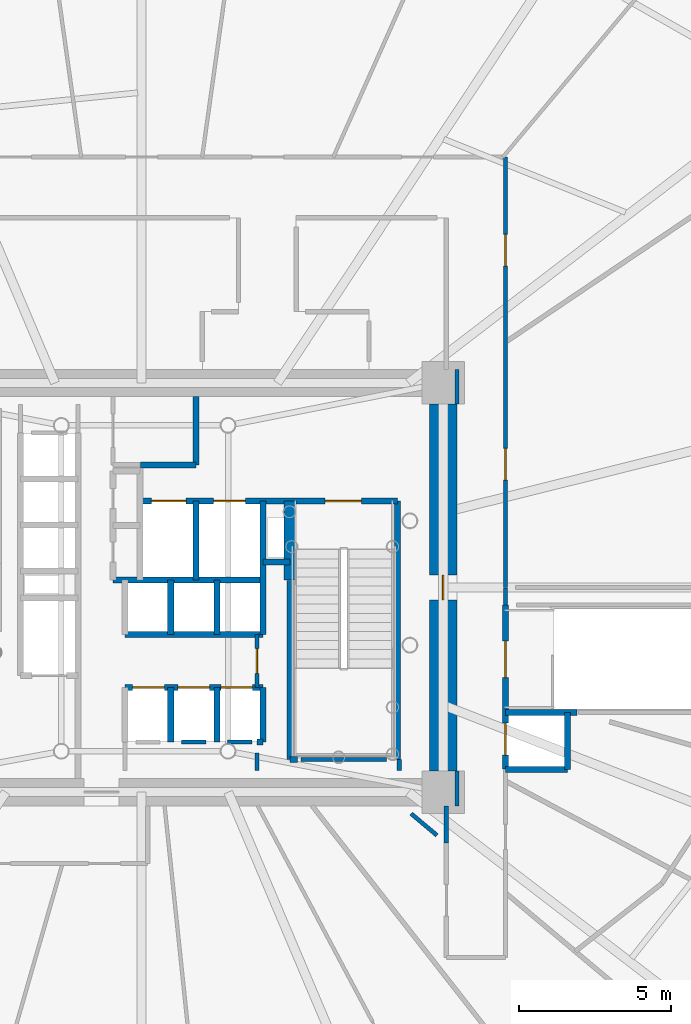
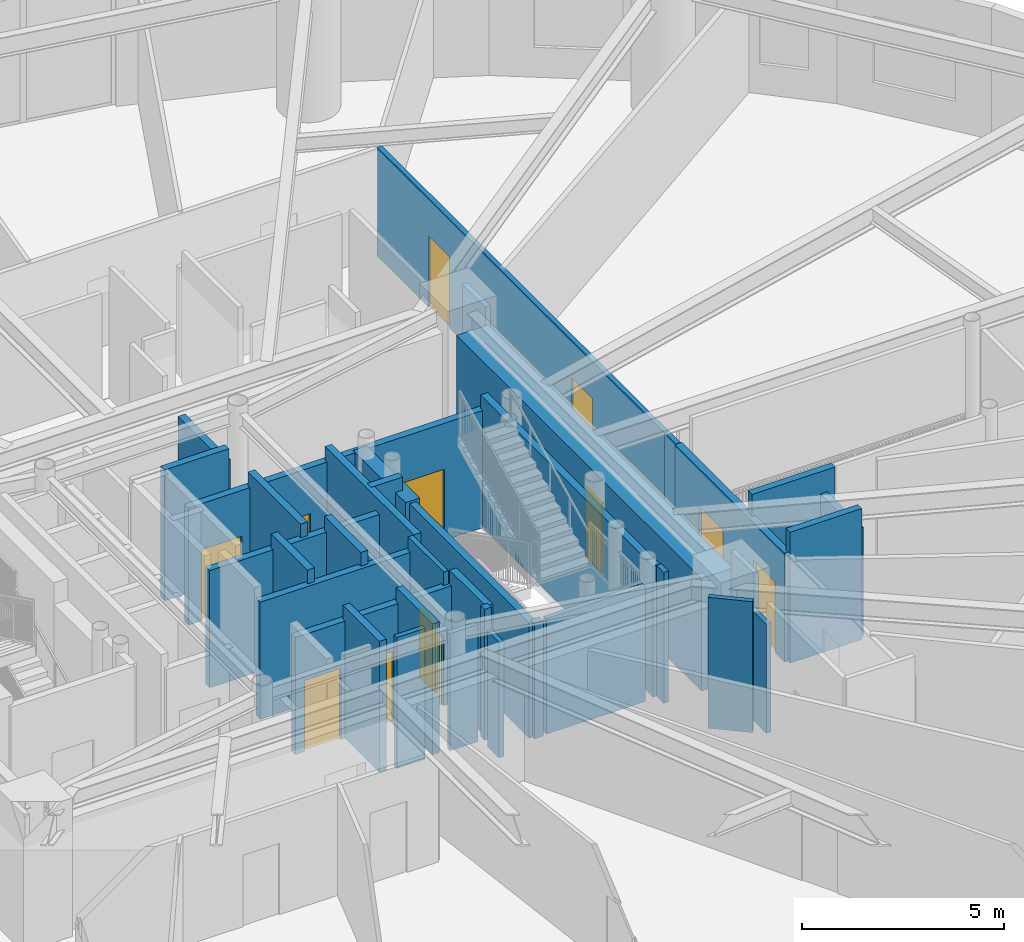
# One storey, part 18 of 28: 36 walls, 12 doors, 12 openings.
"""IFC4 building model written with IfcOpenShell, lengths in metres."""

import ifcopenshell
import ifcopenshell.guid

model = None  # the IFC model being written
_history = None  # IfcOwnerHistory: only IFC2X3 demands one
_inside = {}  # id of a spatial element -> (the spatial element, [elements in it])
_under = {}  # id of a project, library or spatial element -> (it, [spatial elements below it])
_declared = {}  # id of a project -> (the project, [libraries it declares])
_typed = {}  # id of a type object -> (the type object, [elements of that type])
_made_of = {}  # id of a material, layer set ... -> (it, [elements and type objects made of it])


def new_model(schema):
    """Start an empty IFC model of exactly this schema.

    Asked for "IFC4X3", IfcOpenShell would pick the latest addendum, in which some entities
    have other attributes; the version numbers below select the first issue.
    IFC2X3 requires an IfcOwnerHistory on every rooted entity: one is made here for all.
    """
    global model, _history
    if schema == "IFC4X3":
        model = ifcopenshell.file(schema_version=(4, 3, 0, 0))
    else:
        model = ifcopenshell.file(schema=schema)
    _inside.clear()
    _under.clear()
    _declared.clear()
    _typed.clear()
    _made_of.clear()
    _history = None
    if model.schema == "IFC2X3":
        org = make("IfcOrganization", Name="unknown")
        user = make(
            "IfcPersonAndOrganization",
            ThePerson=make("IfcPerson", FamilyName="unknown"),
            TheOrganization=org,
        )
        app = make(
            "IfcApplication",
            ApplicationDeveloper=org,
            Version="unknown",
            ApplicationFullName="unknown",
            ApplicationIdentifier="unknown",
        )
        _history = make(
            "IfcOwnerHistory",
            OwningUser=user,
            OwningApplication=app,
            ChangeAction="ADDED",
            CreationDate=0,
        )
    return model


def make(cls, **values):
    """One entity of the class cls with the attributes given. An attribute that is None is left unset."""
    return model.create_entity(
        cls, **{name: value for name, value in values.items() if value is not None}
    )


def rooted(cls, **values):
    """An entity with a GlobalId (a new one), such as an element, a storey or a relation."""
    return make(cls, GlobalId=ifcopenshell.guid.new(), OwnerHistory=_history, **values)


def si_unit(unit_type, name, prefix=None):
    """IfcSIUnit, for example si_unit("LENGTHUNIT", "METRE", prefix="MILLI")."""
    return make("IfcSIUnit", UnitType=unit_type, Prefix=prefix, Name=name)


def assignment(units):
    """IfcUnitAssignment: the units of a project."""
    return None if units is None else make("IfcUnitAssignment", Units=units)


def point(xyz):
    """IfcCartesianPoint."""
    return None if xyz is None else make("IfcCartesianPoint", Coordinates=xyz)


def direction(xyz):
    """IfcDirection."""
    return None if xyz is None else make("IfcDirection", DirectionRatios=xyz)


def frame(location, z_axis=None, x_axis=None):
    """IfcAxis2Placement3D, a coordinate frame: its origin and axes. An axis left out is left unset."""
    return make(
        "IfcAxis2Placement3D",
        Location=point(location),
        Axis=direction(z_axis),
        RefDirection=direction(x_axis),
    )


def frame_2d(location, x_axis=None):
    """IfcAxis2Placement2D, a coordinate frame in the plane: its origin and x axis."""
    return make(
        "IfcAxis2Placement2D", Location=point(location), RefDirection=direction(x_axis)
    )


def origin():
    """The frame at (0, 0, 0) with its axes left unset."""
    return frame((0.0, 0.0, 0.0))


def origin_2d():
    """The frame at (0, 0) in the plane with its x axis left unset."""
    return frame_2d((0.0, 0.0))


def place(relative_to, where):
    """IfcLocalPlacement: puts the frame where relative to a parent placement (None: the world)."""
    return make(
        "IfcLocalPlacement", PlacementRelTo=relative_to, RelativePlacement=where
    )


def context(
    kind, dimensions, precision=None, world=None, true_north=None, identifier=None
):
    """IfcGeometricRepresentationContext, for example the 3D "Model" context."""
    return make(
        "IfcGeometricRepresentationContext",
        ContextIdentifier=identifier,
        ContextType=kind,
        CoordinateSpaceDimension=dimensions,
        Precision=precision,
        WorldCoordinateSystem=world,
        TrueNorth=true_north,
    )


def subcontext(parent, identifier, kind, view, scale=None):
    """IfcGeometricRepresentationSubContext, for example "Body" below "Model"."""
    return make(
        "IfcGeometricRepresentationSubContext",
        ContextIdentifier=identifier,
        ContextType=kind,
        ParentContext=parent,
        TargetScale=scale,
        TargetView=view,
    )


def project(units=None, contexts=None):
    """IfcProject with its units and contexts."""
    return rooted(
        "IfcProject",
        Name="project",
        RepresentationContexts=contexts,
        UnitsInContext=assignment(units),
    )


def spatial(cls, under=None, at=None, **own):
    """A site, building, storey or space (cls), placed at a placement, below another one or the project."""
    s = rooted(cls, ObjectPlacement=at, **own)
    if under is not None:
        _under.setdefault(under.id(), (under, []))[1].append(s)
    return s


def profile(cls, at=None, kind="AREA", **sizes):
    """A parametric profile (cls). Its sizes go by their IFC names, for example OverallWidth=200.0."""
    return make(cls, ProfileType=kind, Position=at, **sizes)


def rectangle(**sizes):
    """IfcRectangleProfileDef."""
    return profile("IfcRectangleProfileDef", **sizes)


def extrude(swept, where, along, depth):
    """IfcExtrudedAreaSolid: the profile swept, set in the frame where, extruded along a direction by depth."""
    return make(
        "IfcExtrudedAreaSolid",
        SweptArea=swept,
        Position=where,
        ExtrudedDirection=direction(along),
        Depth=depth,
    )


def shape(context_of_items, identifier, shape_type, items):
    """IfcShapeRepresentation: the items that make up one representation, for example the "Body"."""
    return make(
        "IfcShapeRepresentation",
        ContextOfItems=context_of_items,
        RepresentationIdentifier=identifier,
        RepresentationType=shape_type,
        Items=items,
    )


def source(mapping_origin, context_of_items, identifier, shape_type, items):
    """IfcRepresentationMap: a shape defined once, which mapped items show again and again."""
    return make(
        "IfcRepresentationMap",
        MappingOrigin=mapping_origin,
        MappedRepresentation=shape(context_of_items, identifier, shape_type, items),
    )


def transform(
    local_origin,
    x_axis=None,
    y_axis=None,
    z_axis=None,
    scale=None,
    scale2=None,
    scale3=None,
    uniform=True,
):
    """IfcCartesianTransformationOperator3D, or its non-uniform kind. x_axis, y_axis, z_axis: its Axis1, 2, 3."""
    if uniform:
        return make(
            "IfcCartesianTransformationOperator3D",
            Axis1=direction(x_axis),
            Axis2=direction(y_axis),
            LocalOrigin=point(local_origin),
            Scale=scale,
            Axis3=direction(z_axis),
        )
    return make(
        "IfcCartesianTransformationOperator3DnonUniform",
        Axis1=direction(x_axis),
        Axis2=direction(y_axis),
        LocalOrigin=point(local_origin),
        Scale=scale,
        Axis3=direction(z_axis),
        Scale2=scale2,
        Scale3=scale3,
    )


def mapped(mapping_source, mapping_target):
    """IfcMappedItem: shows the shape of a source again, moved by a transform."""
    return make(
        "IfcMappedItem", MappingSource=mapping_source, MappingTarget=mapping_target
    )


def material(Name=None, Category=None):
    """IfcMaterial."""
    return make("IfcMaterial", Name=Name, Category=Category)


def layer(
    of_material, thickness, ventilated=None, Name=None, Category=None, Priority=None
):
    """IfcMaterialLayer: one layer of a wall or slab, of a material (None: an air gap)."""
    return make(
        "IfcMaterialLayer",
        Material=of_material,
        LayerThickness=thickness,
        IsVentilated=ventilated,
        Name=Name,
        Category=Category,
        Priority=Priority,
    )


def layer_set(layers, Name=None):
    """IfcMaterialLayerSet."""
    return make("IfcMaterialLayerSet", MaterialLayers=layers, LayerSetName=Name)


def made_of(thing, what):
    """Note that an element or type object is made of a material, layer set ...; save() writes the relation."""
    if what is not None:
        _made_of.setdefault(what.id(), (what, []))[1].append(thing)
    return thing


def type_object(cls, material=None, **own):
    """A type object (cls), such as IfcWallType, which elements share."""
    return made_of(rooted(cls, **own), material)


def element(
    cls,
    number,
    at=None,
    inside=None,
    cuts=None,
    type_object=None,
    material=None,
    context=None,
    identifier="Body",
    shape_type=None,
    held_by="IfcProductDefinitionShape",
    body=None,
    shapes=None,
    **own,
):
    """One element of the class cls, such as IfcWall. Its Tag is "e" and its number.

    at: its placement. inside: the storey or other place that contains it. cuts: it is an
    opening in that element (IfcRelVoidsElement). A single representation is given by context,
    identifier, shape_type and body (its items); several are given by shapes. held_by: the class
    of the entity that holds the representations. save() writes the other relations.
    """
    e = rooted(cls, Tag="e%d" % number, ObjectPlacement=at, **own)
    if body is not None:
        shapes = [shape(context, identifier, shape_type, body)]
    if shapes is not None:
        e.Representation = make(held_by, Representations=shapes)
    if inside is not None:
        _inside.setdefault(inside.id(), (inside, []))[1].append(e)
    if cuts is not None:
        rooted(
            "IfcRelVoidsElement", RelatingBuildingElement=cuts, RelatedOpeningElement=e
        )
    if type_object is not None:
        _typed.setdefault(type_object.id(), (type_object, []))[1].append(e)
    return made_of(e, material)


def fill(opening, filler):
    """IfcRelFillsElement: the door or window that sits in an opening."""
    return rooted(
        "IfcRelFillsElement",
        RelatingOpeningElement=opening,
        RelatedBuildingElement=filler,
    )


def aggregate(whole, parts):
    """IfcRelAggregates: a whole, such as a stair, and the parts it consists of."""
    return rooted("IfcRelAggregates", RelatingObject=whole, RelatedObjects=parts)


def save(model, path):
    """Write the relations noted so far, then the file.

    IfcRelAggregates (storeys below a building ...), IfcRelContainedInSpatialStructure (elements
    in a storey), IfcRelDefinesByType, IfcRelAssociatesMaterial and IfcRelDeclares: one each for
    every whole, place, type object, material and project.
    """
    for whole, parts in _under.values():
        aggregate(whole, parts)
    for where, things in _inside.values():
        rooted(
            "IfcRelContainedInSpatialStructure",
            RelatedElements=things,
            RelatingStructure=where,
        )
    for kind, things in _typed.values():
        rooted("IfcRelDefinesByType", RelatedObjects=things, RelatingType=kind)
    for what, things in _made_of.values():
        rooted("IfcRelAssociatesMaterial", RelatedObjects=things, RelatingMaterial=what)
    for by, libraries in _declared.values():
        rooted("IfcRelDeclares", RelatingContext=by, RelatedDefinitions=libraries)
    model.write(path)


model = new_model("IFC4")

# Units and contexts
model_context = context("Model", 3, precision=1e-05, world=origin(), true_north=direction((0.0, 1.0)))
body_context = subcontext(model_context, "Body", "Model", "MODEL_VIEW")
ifc_project = project(units=[si_unit("LENGTHUNIT", "METRE"), si_unit("AREAUNIT", "SQUARE_METRE"), si_unit("VOLUMEUNIT", "CUBIC_METRE"), si_unit("PLANEANGLEUNIT", "RADIAN"), si_unit("MASSUNIT", "GRAM", prefix="KILO")], contexts=[model_context])

# Site, building, storey
site_placement = place(None, origin())
site = spatial("IfcSite", under=ifc_project, at=site_placement, CompositionType="ELEMENT")
building_placement = place(site_placement, origin())
building = spatial("IfcBuilding", under=site, at=building_placement, Name="Linh Dai School and Residence Tower", CompositionType="ELEMENT")
storey_placement = place(building_placement, frame((0.0, 0.0, 57.60009765625)))
storey = spatial("IfcBuildingStorey", under=building, at=storey_placement, Name="L13", CompositionType="ELEMENT", Elevation=57.60009765625)

# Wall, opening, door
ifc_material_1 = material(Name="Autoclaved Aerated Concrete Blockwork", Category="masonry")
ifc_layer_1 = layer(ifc_material_1, 0.135009765625)
ifc_layer_set_1 = layer_set([ifc_layer_1], Name="Autoclaved Aerated Concrete Blockwork")
wall_type_1 = type_object("IfcWallType", Name="IW-CORR-135-EI90", PredefinedType="PARTITIONING", material=ifc_layer_set_1)
wall_1_placement = place(storey_placement, frame((39.800048828125, 23.699951171875, 0.0), z_axis=(0.0, 0.0, 1.0), x_axis=(0.0, 1.0, 0.0)))
wall_1 = element("IfcWall", 1, at=wall_1_placement, inside=storey, type_object=wall_type_1, Name="L13 Interior Partition Wall 053", PredefinedType="PARTITIONING", context=body_context, shape_type="SweptSolid", body=[
    extrude(rectangle(XDim=1.75, YDim=0.135009765625, at=frame_2d((0.875, 0.0))), origin(), (0.0, 0.0, 1.0), 3.949951171875),
])
opening_1_placement = place(wall_1_placement, frame((0.465087890625, 0.0, 0.0)))
opening_1 = element("IfcOpeningElement", 2, at=opening_1_placement, cuts=wall_1, Name="Opening D06", PredefinedType="OPENING", context=body_context, shape_type="SweptSolid", body=[
    extrude(rectangle(XDim=0.820068359375, YDim=2.10009765625, at=origin_2d()), frame((0.41015625, 0.07763671875, 1.050048828125), z_axis=(0.0, -1.0, 0.0), x_axis=(1.0, 0.0, 0.0)), (0.0, 0.0, 1.0), 0.155029296875),
])
ifc_material_2 = material(Name="Moisture-Resistant Timber Bathroom Door", Category="wood")
door_type_1 = type_object("IfcDoorType", Name="DR-WET-820x2100", OperationType="NOTDEFINED", PredefinedType="DOOR", material=ifc_material_2)
shared_shape_1 = source(origin(), body_context, "Body", "SweptSolid", [
    extrude(rectangle(XDim=0.820068359375, YDim=2.10009765625, at=origin_2d()), frame((0.41015625, 0.02490234375, 1.050048828125), z_axis=(0.0, -1.0, 0.0), x_axis=(1.0, 0.0, 0.0)), (0.0, 0.0, 1.0), 0.050048828125),
])
door_1_placement = place(opening_1_placement, origin())
door_1 = element("IfcDoor", 3, at=door_1_placement, inside=storey, type_object=door_type_1, Name="L13 East Linen Store Door", OperationType="SINGLE_SWING_LEFT", OverallHeight=2.10009765625, OverallWidth=0.820068359375, PredefinedType="DOOR", context=body_context, shape_type="MappedRepresentation", body=[
    mapped(shared_shape_1, transform((0.0, 0.0, 0.0), x_axis=(1.0, 0.0, 0.0), y_axis=(0.0, 1.0, 0.0), z_axis=(0.0, 0.0, 1.0), scale=1.0)),
])
fill(opening_1, door_1)

# Wall, openings, doors
wall_2_placement = place(storey_placement, frame((48.0, 27.0, 0.0), z_axis=(0.0, 0.0, 1.0), x_axis=(0.0, 1.0, 0.0)))
wall_2 = element("IfcWall", 4, at=wall_2_placement, inside=storey, type_object=wall_type_1, Name="L13 Interior Partition Wall 072", PredefinedType="PARTITIONING", context=body_context, shape_type="SweptSolid", body=[
    extrude(rectangle(XDim=14.199951171875, YDim=0.135009765625, at=frame_2d((7.10009765625, 0.0))), origin(), (0.0, 0.0, 1.0), 3.284912109375),
])
opening_2_placement = place(wall_2_placement, frame((3.5419921875, 0.0, 0.0)))
opening_2 = element("IfcOpeningElement", 5, at=opening_2_placement, cuts=wall_2, Name="Opening D04", PredefinedType="OPENING", context=body_context, shape_type="SweptSolid", body=[
    extrude(rectangle(XDim=1.050048828125, YDim=2.14990234375, at=origin_2d()), frame((0.52490234375, 0.07763671875, 1.074951171875), z_axis=(0.0, -1.0, 0.0), x_axis=(1.0, 0.0, 0.0)), (0.0, 0.0, 1.0), 0.155029296875),
])
opening_3_placement = place(wall_2_placement, frame((10.60205078125, 0.0, 0.0)))
opening_3 = element("IfcOpeningElement", 6, at=opening_3_placement, cuts=wall_2, Name="Opening D04", PredefinedType="OPENING", context=body_context, shape_type="SweptSolid", body=[
    extrude(rectangle(XDim=1.050048828125, YDim=2.14990234375, at=origin_2d()), frame((0.52490234375, 0.07763671875, 1.074951171875), z_axis=(0.0, -1.0, 0.0), x_axis=(1.0, 0.0, 0.0)), (0.0, 0.0, 1.0), 0.155029296875),
])
ifc_material_3 = material(Name="Acoustic Vision-Panel Timber Classroom Door", Category="wood")
door_type_2 = type_object("IfcDoorType", Name="DR-SCH-1050x2150-FD60S", OperationType="NOTDEFINED", PredefinedType="DOOR", material=ifc_material_3)
shared_shape_2 = source(origin(), body_context, "Body", "SweptSolid", [
    extrude(rectangle(XDim=1.050048828125, YDim=2.14990234375, at=origin_2d()), frame((0.52490234375, 0.02490234375, 1.074951171875), z_axis=(0.0, -1.0, 0.0), x_axis=(1.0, 0.0, 0.0)), (0.0, 0.0, 1.0), 0.050048828125),
])
door_2_placement = place(opening_2_placement, origin())
door_2 = element("IfcDoor", 7, at=door_2_placement, inside=storey, type_object=door_type_2, Name="L13 Sixth-Form Quiet Study Library Door", OperationType="SINGLE_SWING_RIGHT", OverallHeight=2.14990234375, OverallWidth=1.050048828125, PredefinedType="DOOR", context=body_context, shape_type="MappedRepresentation", body=[
    mapped(shared_shape_2, transform((0.0, 0.0, 0.0), x_axis=(1.0, 0.0, 0.0), y_axis=(0.0, 1.0, 0.0), z_axis=(0.0, 0.0, 1.0), scale=1.0)),
])
fill(opening_2, door_2)
door_3_placement = place(opening_3_placement, origin())
door_3 = element("IfcDoor", 8, at=door_3_placement, inside=storey, type_object=door_type_2, Name="L13 Sixth-Form Seminar Room 1 Door", OperationType="SINGLE_SWING_LEFT", OverallHeight=2.14990234375, OverallWidth=1.050048828125, PredefinedType="DOOR", context=body_context, shape_type="MappedRepresentation", body=[
    mapped(shared_shape_2, transform((0.0, 0.0, 0.0), x_axis=(1.0, 0.0, 0.0), y_axis=(0.0, 1.0, 0.0), z_axis=(0.0, 0.0, 1.0), scale=1.0)),
])
fill(opening_3, door_3)

# Walls
wall_3_placement = place(storey_placement, frame((44.080078125, 21.330078125, 0.0), z_axis=(0.0, 0.0, 1.0), x_axis=(-1.0, 0.0, 0.0)))
element("IfcWall", 9, at=wall_3_placement, inside=storey, type_object=wall_type_1, Name="L13 Interior Partition Wall 077", PredefinedType="PARTITIONING", context=body_context, shape_type="SweptSolid", body=[
    extrude(rectangle(XDim=2.820068359375, YDim=0.135009765625, at=frame_2d((1.41015625, 0.0))), origin(), (0.0, 0.0, 1.0), 3.48486328125),
])
wall_4_placement = place(storey_placement, frame((38.1201171875, 21.89990234375, 0.0), z_axis=(0.0, 0.0, 1.0), x_axis=(-1.0, 0.0, 0.0)))
element("IfcWall", 10, at=wall_4_placement, inside=storey, type_object=wall_type_1, Name="L13 Interior Partition Wall 079", PredefinedType="PARTITIONING", context=body_context, shape_type="SweptSolid", body=[
    extrude(rectangle(XDim=0.800048828125, YDim=0.135009765625, at=frame_2d((0.39990234375, 0.0))), origin(), (0.0, 0.0, 1.0), 3.949951171875),
])
wall_5_placement = place(storey_placement, frame((39.639892578125, 21.89990234375, 0.0), z_axis=(0.0, 0.0, 1.0), x_axis=(-1.0, 0.0, 0.0)))
element("IfcWall", 11, at=wall_5_placement, inside=storey, type_object=wall_type_1, Name="L13 Interior Partition Wall 080", PredefinedType="PARTITIONING", context=body_context, shape_type="SweptSolid", body=[
    extrude(rectangle(XDim=0.7998046875, YDim=0.135009765625, at=frame_2d((0.39990234375, 0.0))), origin(), (0.0, 0.0, 1.0), 3.534912109375),
])
wall_6_placement = place(storey_placement, frame((39.800048828125, 20.9599609375, 0.0), z_axis=(0.0, 0.0, 1.0), x_axis=(0.0, 1.0, 0.0)))
element("IfcWall", 12, at=wall_6_placement, inside=storey, type_object=wall_type_1, Name="L13 Interior Partition Wall 082", PredefinedType="PARTITIONING", context=body_context, shape_type="SweptSolid", body=[
    extrude(rectangle(XDim=0.580078125, YDim=0.135009765625, at=frame_2d((0.2900390625, 0.0))), origin(), (0.0, 0.0, 1.0), 3.48486328125),
])
wall_7_placement = place(storey_placement, frame((44.5, 20.9599609375, 0.0), z_axis=(0.0, 0.0, 1.0), x_axis=(0.0, 1.0, 0.0)))
element("IfcWall", 13, at=wall_7_placement, inside=storey, type_object=wall_type_1, Name="L13 Interior Partition Wall 084", PredefinedType="PARTITIONING", context=body_context, shape_type="SweptSolid", body=[
    extrude(rectangle(XDim=0.360107421875, YDim=0.135009765625, at=frame_2d((0.18017578125, 0.0))), origin(), (0.0, 0.0, 1.0), 3.949951171875),
])
wall_8_placement = place(storey_placement, frame((48.0, 26.989990234375, 0.0), z_axis=(0.0, 0.0, 1.0), x_axis=(0.0, -1.0, 0.0)))
element("IfcWall", 14, at=wall_8_placement, inside=storey, type_object=wall_type_1, Name="L13 Interior Partition Wall 090", PredefinedType="PARTITIONING", context=body_context, shape_type="SweptSolid", body=[
    extrude(rectangle(XDim=0.56005859375, YDim=0.135009765625, at=frame_2d((0.280029296875, 0.0))), origin(), (0.0, 0.0, 1.0), 3.284912109375),
])
wall_9_placement = place(storey_placement, frame((46.050048828125, 18.5771484375, 0.0), z_axis=(0.0, 0.0, 1.0), x_axis=(0.0, 1.0, 0.0)))
element("IfcWall", 15, at=wall_9_placement, inside=storey, type_object=wall_type_1, Name="L13 Interior Partition Wall 091", PredefinedType="PARTITIONING", context=body_context, shape_type="SweptSolid", body=[
    extrude(rectangle(XDim=1.222900390625, YDim=0.135009765625, at=frame_2d((0.611328125, 0.0))), origin(), (0.0, 0.0, 1.0), 3.284912109375),
])
for number, where, z_axis, x_axis, name in (
    (16, (46.39990234375, 19.800048828125, 0.0), (0.0, 0.0, 1.0), (0.0, 1.0, 0.0), "L13 Interior Partition Wall 092"),
    (17, (46.39990234375, 33.06005859375, 0.0), (0.0, 0.0, 1.0), (0.0, 1.0, 0.0), "L13 Interior Partition Wall 093"),
):
    element("IfcWall", number, at=place(storey_placement, frame(where, z_axis=z_axis, x_axis=x_axis)), inside=storey, type_object=wall_type_1, Name=name, PredefinedType="PARTITIONING", context=body_context, shape_type="SweptSolid", body=[
        extrude(rectangle(XDim=1.139892578125, YDim=0.135009765625, at=frame_2d((0.56982421875, 0.0))), origin(), (0.0, 0.0, 1.0), 3.949951171875),
    ])
wall_10_placement = place(storey_placement, frame((44.890380859375, 19.5400390625, 0.0), z_axis=(0.0, 0.0, 1.0), x_axis=(0.76598583339, -0.642857451576, 0.0)))
element("IfcWall", 18, at=wall_10_placement, inside=storey, type_object=wall_type_1, Name="L13 Interior Partition Wall 108", PredefinedType="PARTITIONING", context=body_context, shape_type="SweptSolid", body=[
    extrude(rectangle(XDim=1.1123046875, YDim=0.135009765625, at=frame_2d((0.55615234375, 0.0))), origin(), (0.0, 0.0, 1.0), 3.949951171875),
])
ifc_material_4 = material(Name="Concrete B45 (C35/45)", Category="concrete")
ifc_layer_2 = layer(ifc_material_4, 0.199951171875)
ifc_layer_set_2 = layer_set([ifc_layer_2], Name="Concrete B45 (C35/45)")
wall_type_2 = type_object("IfcWallType", Name="IW-SHAFT-200-EI120", PredefinedType="PARTITIONING", material=ifc_layer_set_2)
wall_11_placement = place(storey_placement, frame((35.050048828125, 27.25, 0.0), z_axis=(0.0, 0.0, 1.0), x_axis=(1.0, 0.0, 0.0)))
element("IfcWall", 19, at=wall_11_placement, inside=storey, type_object=wall_type_2, Name="L13 Interior Partition Wall 031", PredefinedType="PARTITIONING", context=body_context, shape_type="SweptSolid", body=[
    extrude(rectangle(XDim=4.949951171875, YDim=0.199951171875, at=frame_2d((2.47509765625, 0.0))), origin(), (0.0, 0.0, 1.0), 3.534912109375),
])

# Wall, openings, doors
wall_12_placement = place(storey_placement, frame((35.449951171875, 23.699951171875, 0.0), z_axis=(0.0, 0.0, 1.0), x_axis=(1.0, 0.0, 0.0)))
wall_12 = element("IfcWall", 20, at=wall_12_placement, inside=storey, type_object=wall_type_2, Name="L13 Interior Partition Wall 037", PredefinedType="PARTITIONING", context=body_context, shape_type="SweptSolid", body=[
    extrude(rectangle(XDim=4.550048828125, YDim=0.199951171875, at=frame_2d((2.27490234375, 0.0))), origin(), (0.0, 0.0, 1.0), 3.534912109375),
])
opening_4_placement = place(wall_12_placement, frame((0.25, 0.0, 0.0)))
opening_4 = element("IfcOpeningElement", 21, at=opening_4_placement, cuts=wall_12, Name="Opening LD-PL1", PredefinedType="OPENING", context=body_context, shape_type="SweptSolid", body=[
    extrude(rectangle(XDim=1.050048828125, YDim=2.14990234375, at=origin_2d()), frame((0.52490234375, 0.10986328125, 1.074951171875), z_axis=(0.0, -1.0, 0.0), x_axis=(1.0, 0.0, 0.0)), (0.0, 0.0, 1.0), 0.219970703125),
])
opening_5_placement = place(wall_12_placement, frame((1.7451171875, 0.0, 0.0)))
opening_5 = element("IfcOpeningElement", 22, at=opening_5_placement, cuts=wall_12, Name="Opening LD-PL2", PredefinedType="OPENING", context=body_context, shape_type="SweptSolid", body=[
    extrude(rectangle(XDim=1.050048828125, YDim=2.14990234375, at=origin_2d()), frame((0.52490234375, 0.10986328125, 1.074951171875), z_axis=(0.0, -1.0, 0.0), x_axis=(1.0, 0.0, 0.0)), (0.0, 0.0, 1.0), 0.219970703125),
])
opening_6_placement = place(wall_12_placement, frame((3.1650390625, 0.0, 0.0)))
opening_6 = element("IfcOpeningElement", 23, at=opening_6_placement, cuts=wall_12, Name="Opening LD-PL3", PredefinedType="OPENING", context=body_context, shape_type="SweptSolid", body=[
    extrude(rectangle(XDim=1.050048828125, YDim=2.14990234375, at=origin_2d()), frame((0.52490234375, 0.10986328125, 1.074951171875), z_axis=(0.0, -1.0, 0.0), x_axis=(1.0, 0.0, 0.0)), (0.0, 0.0, 1.0), 0.219970703125),
])
ifc_material_5 = material(Name="Brushed Stainless Steel Lift Landing Door", Category="steel")
door_type_3 = type_object("IfcDoorType", Name="DR-LD-PASS-1050x2150", OperationType="DOUBLE_DOOR_SLIDING", PredefinedType="USERDEFINED", material=ifc_material_5)
shared_shape_3 = source(origin(), body_context, "Body", "SweptSolid", [
    extrude(rectangle(XDim=1.050048828125, YDim=2.14990234375, at=origin_2d()), frame((0.52490234375, 0.02490234375, 1.074951171875), z_axis=(0.0, -1.0, 0.0), x_axis=(1.0, 0.0, 0.0)), (0.0, 0.0, 1.0), 0.050048828125),
])
door_4_placement = place(opening_4_placement, origin())
door_4 = element("IfcDoor", 24, at=door_4_placement, inside=storey, type_object=door_type_3, Name="L13 Lift PL1 Sliding Landing Door", ObjectType="LANDING DOOR", OperationType="DOUBLE_DOOR_SLIDING", OverallHeight=2.14990234375, OverallWidth=1.050048828125, PredefinedType="USERDEFINED", context=body_context, shape_type="MappedRepresentation", body=[
    mapped(shared_shape_3, transform((0.0, 0.0, 0.0), x_axis=(1.0, 0.0, 0.0), y_axis=(0.0, 1.0, 0.0), z_axis=(0.0, 0.0, 1.0), scale=1.0)),
])
fill(opening_4, door_4)
door_5_placement = place(opening_5_placement, origin())
door_5 = element("IfcDoor", 25, at=door_5_placement, inside=storey, type_object=door_type_3, Name="L13 Lift PL2 Sliding Landing Door", ObjectType="LANDING DOOR", OperationType="DOUBLE_DOOR_SLIDING", OverallHeight=2.14990234375, OverallWidth=1.050048828125, PredefinedType="USERDEFINED", context=body_context, shape_type="MappedRepresentation", body=[
    mapped(shared_shape_3, transform((0.0, 0.0, 0.0), x_axis=(1.0, 0.0, 0.0), y_axis=(0.0, 1.0, 0.0), z_axis=(0.0, 0.0, 1.0), scale=1.0)),
])
fill(opening_5, door_5)
door_6_placement = place(opening_6_placement, origin())
door_6 = element("IfcDoor", 26, at=door_6_placement, inside=storey, type_object=door_type_3, Name="L13 Lift PL3 Sliding Landing Door", ObjectType="LANDING DOOR", OperationType="DOUBLE_DOOR_SLIDING", OverallHeight=2.14990234375, OverallWidth=1.050048828125, PredefinedType="USERDEFINED", context=body_context, shape_type="MappedRepresentation", body=[
    mapped(shared_shape_3, transform((0.0, 0.0, 0.0), x_axis=(1.0, 0.0, 0.0), y_axis=(0.0, 1.0, 0.0), z_axis=(0.0, 0.0, 1.0), scale=1.0)),
])
fill(opening_6, door_6)

# Wall
wall_13_placement = place(storey_placement, frame((35.449951171875, 25.449951171875, 0.0), z_axis=(0.0, 0.0, 1.0), x_axis=(1.0, 0.0, 0.0)))
element("IfcWall", 27, at=wall_13_placement, inside=storey, type_object=wall_type_2, Name="L13 Interior Partition Wall 039", PredefinedType="PARTITIONING", context=body_context, shape_type="SweptSolid", body=[
    extrude(rectangle(XDim=4.550048828125, YDim=0.199951171875, at=frame_2d((2.27490234375, 0.0))), origin(), (0.0, 0.0, 1.0), 3.534912109375),
])

# Wall, openings, doors
wall_14_placement = place(storey_placement, frame((35.949951171875, 29.85009765625, 0.0), z_axis=(0.0, 0.0, 1.0), x_axis=(1.0, 0.0, 0.0)))
wall_14 = element("IfcWall", 28, at=wall_14_placement, inside=storey, type_object=wall_type_2, Name="L13 Interior Partition Wall 041", PredefinedType="PARTITIONING", context=body_context, shape_type="SweptSolid", body=[
    extrude(rectangle(XDim=8.489990234375, YDim=0.199951171875, at=frame_2d((4.2451171875, 0.0))), origin(), (0.0, 0.0, 1.0), 3.534912109375),
])
opening_7_placement = place(wall_14_placement, frame((6.10009765625, 0.0, 0.0)))
opening_7 = element("IfcOpeningElement", 29, at=opening_7_placement, cuts=wall_14, Name="Opening D01", PredefinedType="OPENING", context=body_context, shape_type="SweptSolid", body=[
    extrude(rectangle(XDim=1.199951171875, YDim=2.14990234375, at=origin_2d()), frame((0.60009765625, 0.10986328125, 1.074951171875), z_axis=(0.0, -1.0, 0.0), x_axis=(1.0, 0.0, 0.0)), (0.0, 0.0, 1.0), 0.219970703125),
])
opening_8_placement = place(wall_14_placement, frame((0.3701171875, 0.0, 0.0)))
opening_8 = element("IfcOpeningElement", 30, at=opening_8_placement, cuts=wall_14, Name="Opening LD-FF1", PredefinedType="OPENING", context=body_context, shape_type="SweptSolid", body=[
    extrude(rectangle(XDim=1.14990234375, YDim=2.14990234375, at=origin_2d()), frame((0.574951171875, 0.10986328125, 1.074951171875), z_axis=(0.0, -1.0, 0.0), x_axis=(1.0, 0.0, 0.0)), (0.0, 0.0, 1.0), 0.219970703125),
])
opening_9_placement = place(wall_14_placement, frame((2.425048828125, 0.0, 0.0)))
opening_9 = element("IfcOpeningElement", 31, at=opening_9_placement, cuts=wall_14, Name="Opening LD-SV1", PredefinedType="OPENING", context=body_context, shape_type="SweptSolid", body=[
    extrude(rectangle(XDim=1.050048828125, YDim=2.14990234375, at=origin_2d()), frame((0.52490234375, 0.10986328125, 1.074951171875), z_axis=(0.0, -1.0, 0.0), x_axis=(1.0, 0.0, 0.0)), (0.0, 0.0, 1.0), 0.219970703125),
])
ifc_material_6 = material(Name="Fire-Rated Steel Door Leaf", Category="steel")
door_type_4 = type_object("IfcDoorType", Name="DR-STAIR-1200x2150-FD90S", OperationType="NOTDEFINED", PredefinedType="DOOR", material=ifc_material_6)
shared_shape_4 = source(origin(), body_context, "Body", "SweptSolid", [
    extrude(rectangle(XDim=1.199951171875, YDim=2.14990234375, at=origin_2d()), frame((0.60009765625, 0.02490234375, 1.074951171875), z_axis=(0.0, -1.0, 0.0), x_axis=(1.0, 0.0, 0.0)), (0.0, 0.0, 1.0), 0.050048828125),
])
door_7_placement = place(opening_7_placement, origin())
door_7 = element("IfcDoor", 32, at=door_7_placement, inside=storey, type_object=door_type_4, Name="L13 Core Smokeproof Exit Stair ST2 Door", OperationType="SINGLE_SWING_LEFT", OverallHeight=2.14990234375, OverallWidth=1.199951171875, PredefinedType="DOOR", context=body_context, shape_type="MappedRepresentation", body=[
    mapped(shared_shape_4, transform((0.0, 0.0, 0.0), x_axis=(1.0, 0.0, 0.0), y_axis=(0.0, 1.0, 0.0), z_axis=(0.0, 0.0, 1.0), scale=1.0)),
])
fill(opening_7, door_7)
ifc_material_7 = material(Name="Fire-Rated Stainless Steel Firefighting Lift Door", Category="steel")
door_type_5 = type_object("IfcDoorType", Name="DR-LD-FF-1150x2150-FD120", OperationType="DOUBLE_DOOR_SLIDING", PredefinedType="USERDEFINED", material=ifc_material_7)
shared_shape_5 = source(origin(), body_context, "Body", "SweptSolid", [
    extrude(rectangle(XDim=1.14990234375, YDim=2.14990234375, at=origin_2d()), frame((0.574951171875, 0.02490234375, 1.074951171875), z_axis=(0.0, -1.0, 0.0), x_axis=(1.0, 0.0, 0.0)), (0.0, 0.0, 1.0), 0.050048828125),
])
door_8_placement = place(opening_8_placement, origin())
door_8 = element("IfcDoor", 33, at=door_8_placement, inside=storey, type_object=door_type_5, Name="L13 Lift FF1 Sliding Landing Door", ObjectType="LANDING DOOR", OperationType="DOUBLE_DOOR_SLIDING", OverallHeight=2.14990234375, OverallWidth=1.14990234375, PredefinedType="USERDEFINED", context=body_context, shape_type="MappedRepresentation", body=[
    mapped(shared_shape_5, transform((0.0, 0.0, 0.0), x_axis=(1.0, 0.0, 0.0), y_axis=(0.0, 1.0, 0.0), z_axis=(0.0, 0.0, 1.0), scale=1.0)),
])
fill(opening_8, door_8)
door_9_placement = place(opening_9_placement, origin())
door_9 = element("IfcDoor", 34, at=door_9_placement, inside=storey, type_object=door_type_3, Name="L13 Lift SV1 Sliding Landing Door", ObjectType="LANDING DOOR", OperationType="DOUBLE_DOOR_SLIDING", OverallHeight=2.14990234375, OverallWidth=1.050048828125, PredefinedType="USERDEFINED", context=body_context, shape_type="MappedRepresentation", body=[
    mapped(shared_shape_3, transform((0.0, 0.0, 0.0), x_axis=(1.0, 0.0, 0.0), y_axis=(0.0, 1.0, 0.0), z_axis=(0.0, 0.0, 1.0), scale=1.0)),
])
fill(opening_9, door_9)

# Walls
wall_15_placement = place(storey_placement, frame((35.9599609375, 31.050048828125, 0.0), z_axis=(0.0, 0.0, 1.0), x_axis=(1.0, 0.0, 0.0)))
element("IfcWall", 35, at=wall_15_placement, inside=storey, type_object=wall_type_2, Name="L13 Interior Partition Wall 042", PredefinedType="PARTITIONING", context=body_context, shape_type="SweptSolid", body=[
    extrude(rectangle(XDim=1.840087890625, YDim=0.199951171875, at=frame_2d((0.919921875, 0.0))), origin(), (0.0, 0.0, 1.0), 3.949951171875),
])
for number, where, z_axis, x_axis, name in (
    (36, (36.9599609375, 21.89990234375, 0.0), (0.0, 0.0, 1.0), (0.0, 1.0, 0.0), "L13 Interior Partition Wall 045"),
    (37, (36.9599609375, 25.449951171875, 0.0), (0.0, 0.0, 1.0), (0.0, 1.0, 0.0), "L13 Interior Partition Wall 046"),
):
    element("IfcWall", number, at=place(storey_placement, frame(where, z_axis=z_axis, x_axis=x_axis)), inside=storey, type_object=wall_type_2, Name=name, PredefinedType="PARTITIONING", context=body_context, shape_type="SweptSolid", body=[
        extrude(rectangle(XDim=1.800048828125, YDim=0.199951171875, at=frame_2d((0.89990234375, 0.0))), origin(), (0.0, 0.0, 1.0), 3.949951171875),
    ])
wall_16_placement = place(storey_placement, frame((37.800048828125, 27.25, 0.0), z_axis=(0.0, 0.0, 1.0), x_axis=(0.0, 1.0, 0.0)))
element("IfcWall", 38, at=wall_16_placement, inside=storey, type_object=wall_type_2, Name="L13 Interior Partition Wall 047", PredefinedType="PARTITIONING", context=body_context, shape_type="SweptSolid", body=[
    extrude(rectangle(XDim=2.60009765625, YDim=0.199951171875, at=frame_2d((1.300048828125, 0.0))), origin(), (0.0, 0.0, 1.0), 3.949951171875),
])
wall_17_placement = place(storey_placement, frame((37.800048828125, 31.050048828125, 0.0), z_axis=(0.0, 0.0, 1.0), x_axis=(0.0, 1.0, 0.0)))
element("IfcWall", 39, at=wall_17_placement, inside=storey, type_object=wall_type_2, Name="L13 Interior Partition Wall 048", PredefinedType="PARTITIONING", context=body_context, shape_type="SweptSolid", body=[
    extrude(rectangle(XDim=2.25, YDim=0.199951171875, at=frame_2d((1.125, 0.0))), origin(), (0.0, 0.0, 1.0), 3.534912109375),
])
for number, where, z_axis, x_axis, name in (
    (40, (38.47998046875, 21.89990234375, 0.0), (0.0, 0.0, 1.0), (0.0, 1.0, 0.0), "L13 Interior Partition Wall 050"),
    (41, (38.47998046875, 25.449951171875, 0.0), (0.0, 0.0, 1.0), (0.0, 1.0, 0.0), "L13 Interior Partition Wall 051"),
):
    element("IfcWall", number, at=place(storey_placement, frame(where, z_axis=z_axis, x_axis=x_axis)), inside=storey, type_object=wall_type_2, Name=name, PredefinedType="PARTITIONING", context=body_context, shape_type="SweptSolid", body=[
        extrude(rectangle(XDim=1.800048828125, YDim=0.199951171875, at=frame_2d((0.89990234375, 0.0))), origin(), (0.0, 0.0, 1.0), 3.949951171875),
    ])
wall_18_placement = place(storey_placement, frame((39.800048828125, 21.89990234375, 0.0), z_axis=(0.0, 0.0, 1.0), x_axis=(1.0, 0.0, 0.0)))
element("IfcWall", 42, at=wall_18_placement, inside=storey, type_object=wall_type_2, Name="L13 Interior Partition Wall 052", PredefinedType="PARTITIONING", context=body_context, shape_type="SweptSolid", body=[
    extrude(rectangle(XDim=0.199951171875, YDim=0.199951171875, at=frame_2d((0.10009765625, 0.0))), origin(), (0.0, 0.0, 1.0), 3.949951171875),
])
wall_19_placement = place(storey_placement, frame((40.0, 21.89990234375, 0.0), z_axis=(0.0, 0.0, 1.0), x_axis=(0.0, 1.0, 0.0)))
element("IfcWall", 43, at=wall_19_placement, inside=storey, type_object=wall_type_2, Name="L13 Interior Partition Wall 055", PredefinedType="PARTITIONING", context=body_context, shape_type="SweptSolid", body=[
    extrude(rectangle(XDim=1.800048828125, YDim=0.199951171875, at=frame_2d((0.89990234375, 0.0))), origin(), (0.0, 0.0, 1.0), 3.949951171875),
])
wall_20_placement = place(storey_placement, frame((40.0, 25.449951171875, 0.0), z_axis=(0.0, 0.0, 1.0), x_axis=(0.0, 1.0, 0.0)))
element("IfcWall", 44, at=wall_20_placement, inside=storey, type_object=wall_type_2, Name="L13 Interior Partition Wall 056", PredefinedType="PARTITIONING", context=body_context, shape_type="SweptSolid", body=[
    extrude(rectangle(XDim=4.400146484375, YDim=0.199951171875, at=frame_2d((2.2001953125, 0.0))), origin(), (0.0, 0.0, 1.0), 3.949951171875),
])
wall_21_placement = place(storey_placement, frame((40.0, 27.85009765625, 0.0), z_axis=(0.0, 0.0, 1.0), x_axis=(1.0, 0.0, 0.0)))
element("IfcWall", 45, at=wall_21_placement, inside=storey, type_object=wall_type_2, Name="L13 Interior Partition Wall 057", PredefinedType="PARTITIONING", context=body_context, shape_type="SweptSolid", body=[
    extrude(rectangle(XDim=0.89990234375, YDim=0.199951171875, at=frame_2d((0.449951171875, 0.0))), origin(), (0.0, 0.0, 1.0), 3.949951171875),
])
wall_22_placement = place(storey_placement, frame((40.89990234375, 21.330078125, 0.0), z_axis=(0.0, 0.0, 1.0), x_axis=(0.0, 1.0, 0.0)))
element("IfcWall", 46, at=wall_22_placement, inside=storey, type_object=wall_type_2, Name="L13 Interior Partition Wall 058", PredefinedType="PARTITIONING", context=body_context, shape_type="SweptSolid", body=[
    extrude(rectangle(XDim=5.909912109375, YDim=0.199951171875, at=frame_2d((2.955078125, 0.0))), origin(), (0.0, 0.0, 1.0), 3.48486328125),
])
wall_23_placement = place(storey_placement, frame((40.89990234375, 21.330078125, 0.0), z_axis=(0.0, 0.0, 1.0), x_axis=(1.0, 0.0, 0.0)))
element("IfcWall", 47, at=wall_23_placement, inside=storey, type_object=wall_type_2, Name="L13 Interior Partition Wall 059", PredefinedType="PARTITIONING", context=body_context, shape_type="SweptSolid", body=[
    extrude(rectangle(XDim=0.25, YDim=0.199951171875, at=frame_2d((0.125, 0.0))), origin(), (0.0, 0.0, 1.0), 3.48486328125),
])
wall_24_placement = place(storey_placement, frame((44.43994140625, 21.330078125, 0.0), z_axis=(0.0, 0.0, 1.0), x_axis=(0.0, 1.0, 0.0)))
element("IfcWall", 48, at=wall_24_placement, inside=storey, type_object=wall_type_2, Name="L13 Interior Partition Wall 062", PredefinedType="PARTITIONING", context=body_context, shape_type="SweptSolid", body=[
    extrude(rectangle(XDim=8.52001953125, YDim=0.199951171875, at=frame_2d((4.260009765625, 0.0))), origin(), (0.0, 0.0, 1.0), 3.949951171875),
])

# Wall, openings, doors
wall_25_placement = place(storey_placement, frame((48.0, 21.010009765625, 0.0), z_axis=(0.0, 0.0, 1.0), x_axis=(0.0, 1.0, 0.0)))
wall_25 = element("IfcWall", 49, at=wall_25_placement, inside=storey, type_object=wall_type_2, Name="L13 Interior Partition Wall 069", PredefinedType="PARTITIONING", context=body_context, shape_type="SweptSolid", body=[
    extrude(rectangle(XDim=5.409912109375, YDim=0.199951171875, at=frame_2d((2.705078125, 0.0))), origin(), (0.0, 0.0, 1.0), 3.284912109375),
])
opening_10_placement = place(wall_25_placement, frame((3.02001953125, 0.0, 0.0)))
opening_10 = element("IfcOpeningElement", 50, at=opening_10_placement, cuts=wall_25, Name="Opening D01", PredefinedType="OPENING", context=body_context, shape_type="SweptSolid", body=[
    extrude(rectangle(XDim=1.199951171875, YDim=2.14990234375, at=origin_2d()), frame((0.60009765625, 0.10986328125, 1.074951171875), z_axis=(0.0, -1.0, 0.0), x_axis=(1.0, 0.0, 0.0)), (0.0, 0.0, 1.0), 0.219970703125),
])
opening_11_placement = place(wall_25_placement, frame((0.465087890625, 0.0, 0.0)))
opening_11 = element("IfcOpeningElement", 51, at=opening_11_placement, cuts=wall_25, Name="Opening LD-SL2", PredefinedType="OPENING", context=body_context, shape_type="SweptSolid", body=[
    extrude(rectangle(XDim=1.050048828125, YDim=2.14990234375, at=origin_2d()), frame((0.52490234375, 0.10986328125, 1.074951171875), z_axis=(0.0, -1.0, 0.0), x_axis=(1.0, 0.0, 0.0)), (0.0, 0.0, 1.0), 0.219970703125),
])
door_10_placement = place(opening_10_placement, origin())
door_10 = element("IfcDoor", 52, at=door_10_placement, inside=storey, type_object=door_type_4, Name="L13 Exit Stair STS2 Door", OperationType="SINGLE_SWING_LEFT", OverallHeight=2.14990234375, OverallWidth=1.199951171875, PredefinedType="DOOR", context=body_context, shape_type="MappedRepresentation", body=[
    mapped(shared_shape_4, transform((0.0, 0.0, 0.0), x_axis=(1.0, 0.0, 0.0), y_axis=(0.0, 1.0, 0.0), z_axis=(0.0, 0.0, 1.0), scale=1.0)),
])
fill(opening_10, door_10)
door_11_placement = place(opening_11_placement, origin())
door_11 = element("IfcDoor", 53, at=door_11_placement, inside=storey, type_object=door_type_3, Name="L13 Lift SL2 Sliding Landing Door", ObjectType="LANDING DOOR", OperationType="DOUBLE_DOOR_SLIDING", OverallHeight=2.14990234375, OverallWidth=1.050048828125, PredefinedType="USERDEFINED", context=body_context, shape_type="MappedRepresentation", body=[
    mapped(shared_shape_3, transform((0.0, 0.0, 0.0), x_axis=(1.0, 0.0, 0.0), y_axis=(0.0, 1.0, 0.0), z_axis=(0.0, 0.0, 1.0), scale=1.0)),
])
fill(opening_11, door_11)

# Walls
wall_26_placement = place(storey_placement, frame((48.0, 21.0, 0.0), z_axis=(0.0, 0.0, 1.0), x_axis=(1.0, 0.0, 0.0)))
element("IfcWall", 54, at=wall_26_placement, inside=storey, type_object=wall_type_2, Name="L13 Interior Partition Wall 070", PredefinedType="PARTITIONING", context=body_context, shape_type="SweptSolid", body=[
    extrude(rectangle(XDim=2.050048828125, YDim=0.199951171875, at=frame_2d((1.02490234375, 0.0))), origin(), (0.0, 0.0, 1.0), 3.949951171875),
])
wall_27_placement = place(storey_placement, frame((48.0, 22.8798828125, 0.0), z_axis=(0.0, 0.0, 1.0), x_axis=(1.0, 0.0, 0.0)))
element("IfcWall", 55, at=wall_27_placement, inside=storey, type_object=wall_type_2, Name="L13 Interior Partition Wall 071", PredefinedType="PARTITIONING", context=body_context, shape_type="SweptSolid", body=[
    extrude(rectangle(XDim=2.3681640625, YDim=0.199951171875, at=frame_2d((1.18408203125, 0.0))), origin(), (0.0, 0.0, 1.0), 3.949951171875),
])
wall_28_placement = place(storey_placement, frame((50.050048828125, 21.0, 0.0), z_axis=(0.0, 0.0, 1.0), x_axis=(0.0, 1.0, 0.0)))
element("IfcWall", 56, at=wall_28_placement, inside=storey, type_object=wall_type_2, Name="L13 Interior Partition Wall 074", PredefinedType="PARTITIONING", context=body_context, shape_type="SweptSolid", body=[
    extrude(rectangle(XDim=1.8798828125, YDim=0.199951171875, at=frame_2d((0.93994140625, 0.0))), origin(), (0.0, 0.0, 1.0), 3.284912109375),
])
ifc_layer_3 = layer(ifc_material_4, 0.39990234375)
ifc_layer_set_3 = layer_set([ifc_layer_3], Name="Concrete B45 (C35/45)")
wall_type_3 = type_object("IfcWallType", Name="WL-CORE400", PredefinedType="SHEAR", material=ifc_layer_set_3)
wall_29_placement = place(storey_placement, frame((40.89990234375, 27.25, 0.0), z_axis=(0.0, 0.0, 1.0), x_axis=(0.0, 1.0, 0.0)))
element("IfcWall", 57, at=wall_29_placement, inside=storey, type_object=wall_type_3, Name="L13 Internal Core Shear Wall IE", PredefinedType="SHEAR", context=body_context, shape_type="SweptSolid", body=[
    extrude(rectangle(XDim=2.60009765625, YDim=0.39990234375, at=frame_2d((1.300048828125, 0.0))), origin(), (0.0, 0.0, 1.0), 3.5498046875),
])

# Wall, opening, door
ifc_material_8 = material(Name="Concrete B60 (C50/60)", Category="concrete")
ifc_layer_4 = layer(ifc_material_8, 0.89990234375)
ifc_layer_set_4 = layer_set([ifc_layer_4], Name="Concrete B60 (C50/60)")
wall_type_4 = type_object("IfcWallType", Name="WL-CORE900", PredefinedType="SHEAR", material=ifc_layer_set_4)
wall_30_placement = place(storey_placement, frame((45.949951171875, 33.050048828125, 0.0), z_axis=(0.0, 0.0, 1.0), x_axis=(0.0, -1.0, 0.0)))
wall_30 = element("IfcWall", 58, at=wall_30_placement, inside=storey, type_object=wall_type_4, Name="L13 Central Core Shear Wall E", PredefinedType="SHEAR", context=body_context, shape_type="SweptSolid", body=[
    extrude(rectangle(XDim=12.10009765625, YDim=0.89990234375, at=frame_2d((6.050048828125, 0.0))), origin(), (0.0, 0.0, 1.0), 3.39990234375),
])
opening_12_placement = place(wall_30_placement, frame((5.639892578125, 0.0, 0.0)))
opening_12 = element("IfcOpeningElement", 59, at=opening_12_placement, cuts=wall_30, Name="Opening D06", PredefinedType="OPENING", context=body_context, shape_type="SweptSolid", body=[
    extrude(rectangle(XDim=0.820068359375, YDim=2.10009765625, at=origin_2d()), frame((0.41015625, 0.4599609375, 1.050048828125), z_axis=(0.0, -1.0, 0.0), x_axis=(1.0, 0.0, 0.0)), (0.0, 0.0, 1.0), 0.919921875),
])
door_12_placement = place(opening_12_placement, origin())
door_12 = element("IfcDoor", 60, at=door_12_placement, inside=storey, type_object=door_type_1, Name="L13 Firefighting Lobby Door", OperationType="SINGLE_SWING_RIGHT", OverallHeight=2.10009765625, OverallWidth=0.820068359375, PredefinedType="DOOR", context=body_context, shape_type="MappedRepresentation", body=[
    mapped(shared_shape_1, transform((0.0, 0.0, 0.0), x_axis=(1.0, 0.0, 0.0), y_axis=(0.0, 1.0, 0.0), z_axis=(0.0, 0.0, 1.0), scale=1.0)),
])
fill(opening_12, door_12)

save(model, "model.ifc")
